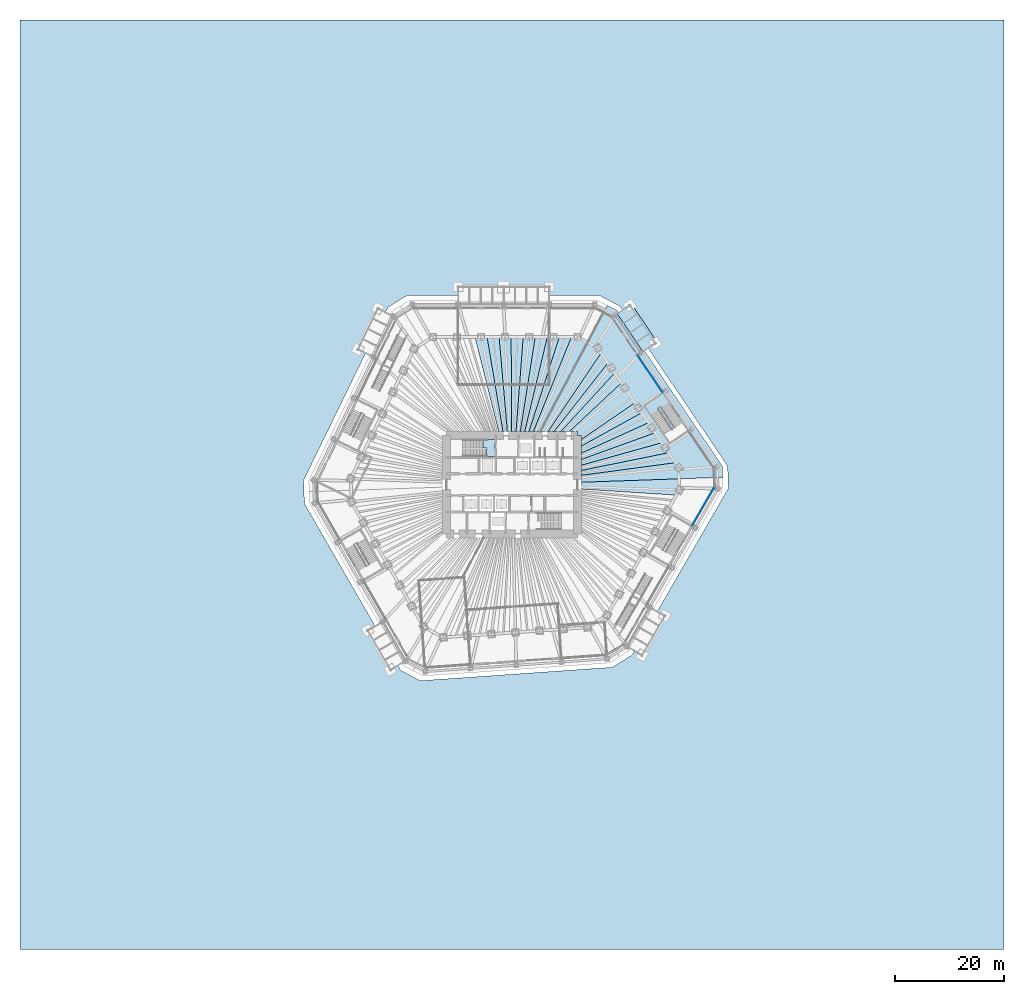
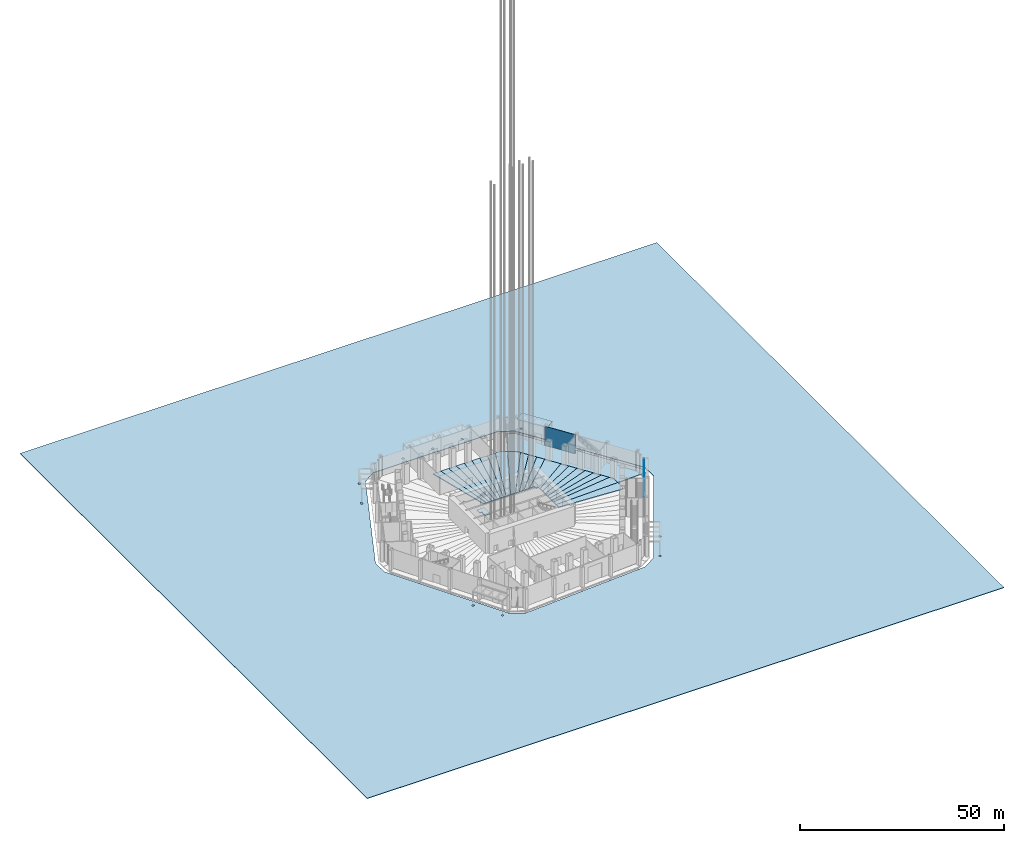
# One storey, part 26 of 45: 26 slabs, 2 plates, 3 elements without a shape of their own.
"""IFC4 building model written with IfcOpenShell, lengths in metres."""

from ifc_helpers import new_model, si_unit, direction, frame, origin, origin_2d, place, context, subcontext, project, spatial, polyline, rectangle, outline, extrude, material, layer, layer_set, type_object, element, aggregate, save


model = new_model("IFC4")

# Units and contexts
model_context = context("Model", 3, precision=1e-05, world=origin(), true_north=direction((0.0, 1.0)))
body_context = subcontext(model_context, "Body", "Model", "MODEL_VIEW")
ifc_project = project(units=[si_unit("LENGTHUNIT", "METRE"), si_unit("AREAUNIT", "SQUARE_METRE"), si_unit("VOLUMEUNIT", "CUBIC_METRE"), si_unit("PLANEANGLEUNIT", "RADIAN"), si_unit("MASSUNIT", "GRAM", prefix="KILO")], contexts=[model_context])

# Site, building, storey
site_placement = place(None, origin())
site = spatial("IfcSite", under=ifc_project, at=site_placement, CompositionType="ELEMENT")
building_placement = place(site_placement, origin())
building = spatial("IfcBuilding", under=site, at=building_placement, Name="Qingtian Harvest Tower", CompositionType="ELEMENT")
storey_placement = place(building_placement, origin())
storey = spatial("IfcBuildingStorey", under=building, at=storey_placement, Name="L00", CompositionType="ELEMENT", Elevation=0.0)

# Slabs
ifc_material_1 = material(Name="Concrete fc' 35 MPa", Category="concrete")
ifc_layer_1 = layer(ifc_material_1, 0.25)
ifc_layer_set_1 = layer_set([ifc_layer_1], Name="Composite floor slab FS25 250")
slab_type_1 = type_object("IfcSlabType", Name="Composite floor slab FS25 250", PredefinedType="FLOOR", material=ifc_layer_set_1)
slab_1_placement = place(storey_placement, frame((0.0, 0.0, -0.25)))
element("IfcSlab", 1, at=slab_1_placement, inside=storey, type_object=slab_type_1, Name="Floor slab L00 panel DPNE", PredefinedType="FLOOR", context=body_context, shape_type="SweptSolid", body=[
    extrude(outline(polyline([(30.54736328125, 1.066650390625), (30.476318359375, 3.100830078125), (15.6982421875, 25.01025390625), (13.8271484375, 26.005126953125), (17.44287109375, 32.80517578125), (19.313720703125, 31.810302734375), (38.489990234375, 3.380615234375), (38.56103515625, 1.3466796875), (30.54736328125, 1.066650390625)])), origin(), (0.0, 0.0, 1.0), 0.25),
])
slab_2_placement = place(storey_placement, frame((0.0, 0.0, -0.25)))
element("IfcSlab", 2, at=slab_2_placement, inside=storey, type_object=slab_type_1, Name="Floor slab L00 panel D39", PredefinedType="FLOOR", context=body_context, shape_type="SweptSolid", body=[
    extrude(outline(polyline([(12.75, -0.822265625), (12.75, 0.447265625), (30.54736328125, 1.066650390625), (30.618408203125, -0.96728515625), (30.06787109375, -1.9208984375), (12.75, -0.822265625)])), origin(), (0.0, 0.0, 1.0), 0.25),
])
slab_3_placement = place(storey_placement, frame((0.0, 0.0, -0.25)))
element("IfcSlab", 3, at=slab_3_placement, inside=storey, type_object=slab_type_1, Name="Floor slab L00 panel D40", PredefinedType="FLOOR", context=body_context, shape_type="SweptSolid", body=[
    extrude(outline(polyline([(12.75, 0.447265625), (12.75, 1.72265625), (29.860595703125, 4.013671875), (30.476318359375, 3.100830078125), (30.54736328125, 1.066650390625), (12.75, 0.447265625)])), origin(), (0.0, 0.0, 1.0), 0.25),
])
slab_4_placement = place(storey_placement, frame((0.0, 0.0, -0.25)))
element("IfcSlab", 4, at=slab_4_placement, inside=storey, type_object=slab_type_1, Name="Floor slab L00 panel D41", PredefinedType="FLOOR", context=body_context, shape_type="SweptSolid", body=[
    extrude(outline(polyline([(12.75, 2.610595703125), (28.629150390625, 5.839599609375), (29.860595703125, 4.013671875), (12.75, 1.72265625), (12.75, 2.610595703125)])), origin(), (0.0, 0.0, 1.0), 0.25),
])
slab_5_placement = place(storey_placement, frame((0.0, 0.0, -0.25)))
element("IfcSlab", 5, at=slab_5_placement, inside=storey, type_object=slab_type_1, Name="Floor slab L00 panel D42", PredefinedType="FLOOR", context=body_context, shape_type="SweptSolid", body=[
    extrude(outline(polyline([(12.75, 3.57861328125), (27.3974609375, 7.665283203125), (28.629150390625, 5.839599609375), (12.75, 2.610595703125), (12.75, 3.57861328125)])), origin(), (0.0, 0.0, 1.0), 0.25),
])
slab_6_placement = place(storey_placement, frame((0.0, 0.0, -0.25)))
element("IfcSlab", 6, at=slab_6_placement, inside=storey, type_object=slab_type_1, Name="Floor slab L00 panel D43", PredefinedType="FLOOR", context=body_context, shape_type="SweptSolid", body=[
    extrude(outline(polyline([(12.75, 4.6376953125), (26.166015625, 9.490966796875), (27.3974609375, 7.665283203125), (12.75, 3.57861328125), (12.75, 4.6376953125)])), origin(), (0.0, 0.0, 1.0), 0.25),
])
slab_7_placement = place(storey_placement, frame((0.0, 0.0, -0.25)))
element("IfcSlab", 7, at=slab_7_placement, inside=storey, type_object=slab_type_1, Name="Floor slab L00 panel D44", PredefinedType="FLOOR", context=body_context, shape_type="SweptSolid", body=[
    extrude(outline(polyline([(12.75, 5.8017578125), (24.9345703125, 11.31689453125), (26.166015625, 9.490966796875), (12.75, 4.6376953125), (12.75, 5.8017578125)])), origin(), (0.0, 0.0, 1.0), 0.25),
])
slab_8_placement = place(storey_placement, frame((0.0, 0.0, -0.25)))
element("IfcSlab", 8, at=slab_8_placement, inside=storey, type_object=slab_type_1, Name="Floor slab L00 panel D45", PredefinedType="FLOOR", context=body_context, shape_type="SweptSolid", body=[
    extrude(outline(polyline([(12.75, 7.087158203125), (23.703125, 13.142578125), (24.9345703125, 11.31689453125), (12.75, 5.8017578125), (12.75, 7.087158203125)])), origin(), (0.0, 0.0, 1.0), 0.25),
])
slab_9_placement = place(storey_placement, frame((0.0, 0.0, -0.25)))
element("IfcSlab", 9, at=slab_9_placement, inside=storey, type_object=slab_type_1, Name="Floor slab L00 panel D46", PredefinedType="FLOOR", context=body_context, shape_type="SweptSolid", body=[
    extrude(outline(polyline([(12.75, 8.30615234375), (22.471435546875, 14.968505859375), (23.703125, 13.142578125), (12.75, 7.087158203125), (12.75, 8.30615234375)])), origin(), (0.0, 0.0, 1.0), 0.25),
])
slab_10_placement = place(storey_placement, frame((0.0, 0.0, -0.25)))
element("IfcSlab", 10, at=slab_10_placement, inside=storey, type_object=slab_type_1, Name="Floor slab L00 panel D48", PredefinedType="FLOOR", context=body_context, shape_type="SweptSolid", body=[
    extrude(outline(polyline([(20.008544921875, 18.6201171875), (22.471435546875, 14.968505859375), (12.75, 8.30615234375), (12.75, 9.0), (12.0, 9.0), (12.0, 9.75), (10.51806640625, 9.75), (20.008544921875, 18.6201171875)])), origin(), (0.0, 0.0, 1.0), 0.25),
])
slab_11_placement = place(storey_placement, frame((0.0, 0.0, -0.25)))
element("IfcSlab", 11, at=slab_11_placement, inside=storey, type_object=slab_type_1, Name="Floor slab L00 panel D49", PredefinedType="FLOOR", context=body_context, shape_type="SweptSolid", body=[
    extrude(outline(polyline([(8.985107421875, 9.75), (18.777099609375, 20.44580078125), (20.008544921875, 18.6201171875), (10.51806640625, 9.75), (8.985107421875, 9.75)])), origin(), (0.0, 0.0, 1.0), 0.25),
])
slab_12_placement = place(storey_placement, frame((0.0, 0.0, -0.25)))
element("IfcSlab", 12, at=slab_12_placement, inside=storey, type_object=slab_type_1, Name="Floor slab L00 panel D50", PredefinedType="FLOOR", context=body_context, shape_type="SweptSolid", body=[
    extrude(outline(polyline([(7.705078125, 9.75), (17.54541015625, 22.271728515625), (18.777099609375, 20.44580078125), (8.985107421875, 9.75), (7.705078125, 9.75)])), origin(), (0.0, 0.0, 1.0), 0.25),
])
slab_13_placement = place(storey_placement, frame((0.0, 0.0, -0.25)))
element("IfcSlab", 13, at=slab_13_placement, inside=storey, type_object=slab_type_1, Name="Floor slab L00 panel D51", PredefinedType="FLOOR", context=body_context, shape_type="SweptSolid", body=[
    extrude(outline(polyline([(6.61962890625, 9.75), (16.31396484375, 24.097412109375), (17.54541015625, 22.271728515625), (7.705078125, 9.75), (6.61962890625, 9.75)])), origin(), (0.0, 0.0, 1.0), 0.25),
])
slab_14_placement = place(storey_placement, frame((0.0, 0.0, -0.25)))
element("IfcSlab", 14, at=slab_14_placement, inside=storey, type_object=slab_type_1, Name="Floor slab L00 panel D52", PredefinedType="FLOOR", context=body_context, shape_type="SweptSolid", body=[
    extrude(outline(polyline([(6.61962890625, 9.75), (5.21875, 9.75), (13.8271484375, 26.005126953125), (15.6982421875, 25.01025390625), (16.31396484375, 24.097412109375), (6.61962890625, 9.75)])), origin(), (0.0, 0.0, 1.0), 0.25),
])
slab_15_placement = place(storey_placement, frame((0.0, 0.0, -0.25)))
element("IfcSlab", 15, at=slab_15_placement, inside=storey, type_object=slab_type_1, Name="Floor slab L00 panel D53", PredefinedType="FLOOR", context=body_context, shape_type="SweptSolid", body=[
    extrude(outline(polyline([(3.919921875, 9.75), (10.85498046875, 27.0), (11.9560546875, 27.0), (13.8271484375, 26.005126953125), (5.21875, 9.75), (3.919921875, 9.75)])), origin(), (0.0, 0.0, 1.0), 0.25),
])
slab_16_placement = place(storey_placement, frame((0.0, 0.0, -0.25)))
element("IfcSlab", 16, at=slab_16_placement, inside=storey, type_object=slab_type_1, Name="Floor slab L00 panel D54", PredefinedType="FLOOR", context=body_context, shape_type="SweptSolid", body=[
    extrude(outline(polyline([(3.12451171875, 9.75), (8.652587890625, 27.0), (10.85498046875, 27.0), (3.919921875, 9.75), (3.12451171875, 9.75)])), origin(), (0.0, 0.0, 1.0), 0.25),
])
slab_17_placement = place(storey_placement, frame((0.0, 0.0, -0.25)))
element("IfcSlab", 17, at=slab_17_placement, inside=storey, type_object=slab_type_1, Name="Floor slab L00 panel D55", PredefinedType="FLOOR", context=body_context, shape_type="SweptSolid", body=[
    extrude(outline(polyline([(2.329345703125, 9.75), (6.450439453125, 27.0), (8.652587890625, 27.0), (3.12451171875, 9.75), (2.329345703125, 9.75)])), origin(), (0.0, 0.0, 1.0), 0.25),
])
slab_18_placement = place(storey_placement, frame((0.0, 0.0, -0.25)))
element("IfcSlab", 18, at=slab_18_placement, inside=storey, type_object=slab_type_1, Name="Floor slab L00 panel D56", PredefinedType="FLOOR", context=body_context, shape_type="SweptSolid", body=[
    extrude(outline(polyline([(1.533935546875, 9.75), (4.248046875, 27.0), (6.450439453125, 27.0), (2.329345703125, 9.75), (1.533935546875, 9.75)])), origin(), (0.0, 0.0, 1.0), 0.25),
])
slab_19_placement = place(storey_placement, frame((0.0, 0.0, -0.25)))
element("IfcSlab", 19, at=slab_19_placement, inside=storey, type_object=slab_type_1, Name="Floor slab L00 panel D57", PredefinedType="FLOOR", context=body_context, shape_type="SweptSolid", body=[
    extrude(outline(polyline([(0.73876953125, 9.75), (2.0458984375, 27.0), (4.248046875, 27.0), (1.533935546875, 9.75), (0.73876953125, 9.75)])), origin(), (0.0, 0.0, 1.0), 0.25),
])
slab_20_placement = place(storey_placement, frame((0.0, 0.0, -0.25)))
element("IfcSlab", 20, at=slab_20_placement, inside=storey, type_object=slab_type_1, Name="Floor slab L00 panel D58", PredefinedType="FLOOR", context=body_context, shape_type="SweptSolid", body=[
    extrude(outline(polyline([(-0.056396484375, 9.75), (-0.156494140625, 27.0), (2.0458984375, 27.0), (0.73876953125, 9.75), (-0.056396484375, 9.75)])), origin(), (0.0, 0.0, 1.0), 0.25),
])
slab_21_placement = place(storey_placement, frame((0.0, 0.0, -0.25)))
element("IfcSlab", 21, at=slab_21_placement, inside=storey, type_object=slab_type_1, Name="Floor slab L00 panel D59", PredefinedType="FLOOR", context=body_context, shape_type="SweptSolid", body=[
    extrude(outline(polyline([(-0.851806640625, 9.75), (-2.35888671875, 27.0), (-0.156494140625, 27.0), (-0.056396484375, 9.75), (-0.851806640625, 9.75)])), origin(), (0.0, 0.0, 1.0), 0.25),
])
slab_22_placement = place(storey_placement, frame((0.0, 0.0, -0.25)))
element("IfcSlab", 22, at=slab_22_placement, inside=storey, type_object=slab_type_1, Name="Floor slab L00 panel D60", PredefinedType="FLOOR", context=body_context, shape_type="SweptSolid", body=[
    extrude(outline(polyline([(-1.64697265625, 9.75), (-4.56103515625, 27.0), (-2.35888671875, 27.0), (-0.851806640625, 9.75), (-1.64697265625, 9.75)])), origin(), (0.0, 0.0, 1.0), 0.25),
])
slab_23_placement = place(storey_placement, frame((0.0, 0.0, -0.25)))
element("IfcSlab", 23, at=slab_23_placement, inside=storey, type_object=slab_type_1, Name="Floor slab L00 panel D61", PredefinedType="FLOOR", context=body_context, shape_type="SweptSolid", body=[
    extrude(outline(polyline([(-2.4423828125, 9.75), (-6.763427734375, 27.0), (-4.56103515625, 27.0), (-1.64697265625, 9.75), (-2.4423828125, 9.75)])), origin(), (0.0, 0.0, 1.0), 0.25),
])
ifc_material_2 = material(Name="Laminated heat-strengthened glass", Category="glass")
ifc_layer_2 = layer(ifc_material_2, 0.0400390625)
ifc_layer_set_2 = layer_set([ifc_layer_2], Name="Entrance canopy CN1 glass")
slab_type_2 = type_object("IfcSlabType", Name="Entrance canopy CN1 glass", PredefinedType="ROOF", material=ifc_layer_set_2)
slab_24_placement = place(storey_placement, frame((0.0, 0.0, 4.4599609375)))
element("IfcSlab", 24, at=slab_24_placement, inside=storey, type_object=slab_type_2, Name="Entrance canopy CN1 CN2 0", PredefinedType="ROOF", context=body_context, shape_type="SweptSolid", body=[
    extrude(outline(polyline([(19.261474609375, 31.261962890625), (23.92626953125, 24.34619140625), (26.53759765625, 26.107666015625), (21.873046875, 33.0234375), (19.261474609375, 31.261962890625)])), origin(), (0.0, 0.0, 1.0), 0.0400390625),
])

# Curtain wall, plate
ifc_material_3 = material(Name="Bronze-anodised aluminium curtain wall", Category="aluminium")
curtain_wall_type = type_object("IfcCurtainWallType", Name="Curtain wall CW1 podium shopfront", PredefinedType="USERDEFINED", material=ifc_material_3)
curtain_wall_1_placement = place(storey_placement, origin())
curtain_wall_1 = element("IfcCurtainWall", 25, at=curtain_wall_1_placement, inside=storey, type_object=curtain_wall_type, Name="Curtain wall CW1 L00 NE1", ObjectType="RECESSED CURTAIN WALL", PredefinedType="USERDEFINED")
ifc_material_4 = material(Name="Bronze-tinted laminated insulating glass", Category="glass")
ifc_layer_3 = layer(ifc_material_4, 0.030029296875)
ifc_layer_set_3 = layer_set([ifc_layer_3], Name="Glazed panel CWP tinted IGU")
plate_type = type_object("IfcPlateType", Name="Glazed panel CWP tinted IGU", PredefinedType="CURTAIN_PANEL", material=ifc_layer_set_3)
plate_1_placement = place(storey_placement, frame((25.30517578125, 20.245361328125, 0.06494140625), z_axis=(0.0, 0.0, 1.0), x_axis=(0.559192903471, -0.829037572555, 0.0)))
plate_1 = element("IfcPlate", 26, at=plate_1_placement, type_object=plate_type, Name="CW1 panel 1.1", PredefinedType="CURTAIN_PANEL", context=body_context, shape_type="SweptSolid", body=[
    extrude(rectangle(XDim=8.211669921875, YDim=0.030029296875, at=origin_2d()), origin(), (0.0, 0.0, 1.0), 5.68505859375),
])
aggregate(curtain_wall_1, [plate_1])

curtain_wall_2_placement = place(storey_placement, origin())
curtain_wall_2 = element("IfcCurtainWall", 27, at=curtain_wall_2_placement, inside=storey, type_object=curtain_wall_type, Name="Curtain wall CW1 L00 SE0", ObjectType="RECESSED CURTAIN WALL", PredefinedType="USERDEFINED")
plate_2_placement = place(storey_placement, frame((34.99755859375, -3.982421875, 0.06494140625), z_axis=(0.0, 0.0, 1.0), x_axis=(-0.5, -0.866025403784, 0.0)))
plate_2 = element("IfcPlate", 28, at=plate_2_placement, type_object=plate_type, Name="CW1 panel 1.1", PredefinedType="CURTAIN_PANEL", context=body_context, shape_type="SweptSolid", body=[
    extrude(rectangle(XDim=8.211669921875, YDim=0.030029296875, at=origin_2d()), origin(), (0.0, 0.0, 1.0), 5.68505859375),
])
aggregate(curtain_wall_2, [plate_2])

# Slab
ifc_material_5 = material(Name="Granite setts on concrete base", Category="masonry")
ifc_layer_4 = layer(ifc_material_5, 0.14990234375)
ifc_layer_set_4 = layer_set([ifc_layer_4], Name="Plaza paving PV15 150")
slab_type_3 = type_object("IfcSlabType", Name="Plaza paving PV15 150", PredefinedType="USERDEFINED", material=ifc_layer_set_4)
slab_25_placement = place(storey_placement, frame((0.0, 0.0, -0.14990234375)))
element("IfcSlab", 29, at=slab_25_placement, inside=storey, type_object=slab_type_3, Name="Public plaza paving", ObjectType="PAVING", PredefinedType="USERDEFINED", context=body_context, shape_type="SweptSolid", body=[
    extrude(outline(polyline([(-90.0, -85.0), (-90.0, 85.0), (90.0, 85.0), (90.0, -85.0), (-90.0, -85.0)]), holes=[polyline([(-22.672607421875, 32.44287109375), (-38.11083984375, 0.78955078125), (-37.963134765625, -3.446044921875), (-20.354248046875, -33.9453125), (-16.760009765625, -35.8564453125), (18.371826171875, -33.39990234375), (21.9658203125, -31.154052734375), (39.57470703125, -0.654541015625), (39.4326171875, 3.41357421875), (19.7392578125, 32.6103515625), (15.9970703125, 34.60009765625), (-19.220458984375, 34.60009765625), (-22.672607421875, 32.44287109375)]), polyline([(-9.62890625, 35.949951171875), (-10.12890625, 35.949951171875), (-10.12890625, 36.449951171875), (-9.62890625, 36.449951171875), (-9.62890625, 35.949951171875)]), polyline([(-1.287109375, 35.949951171875), (-1.787109375, 35.949951171875), (-1.787109375, 36.449951171875), (-1.287109375, 36.449951171875), (-1.287109375, 35.949951171875)]), polyline([(7.0546875, 35.949951171875), (6.5546875, 35.949951171875), (6.5546875, 36.449951171875), (7.0546875, 36.449951171875), (7.0546875, 35.949951171875)]), polyline([(21.473876953125, 32.45263671875), (21.1943359375, 32.8671875), (21.60888671875, 33.146728515625), (21.888427734375, 32.732177734375), (21.473876953125, 32.45263671875)]), polyline([(26.138671875, 25.537109375), (25.85888671875, 25.95166015625), (26.2734375, 26.231201171875), (26.55322265625, 25.816650390625), (26.138671875, 25.537109375)]), polyline([(27.606201171875, -24.08447265625), (27.856201171875, -23.6513671875), (28.289306640625, -23.9013671875), (28.039306640625, -24.33447265625), (27.606201171875, -24.08447265625)]), polyline([(23.435302734375, -31.30859375), (23.685302734375, -30.875732421875), (24.118408203125, -31.125732421875), (23.868408203125, -31.55859375), (23.435302734375, -31.30859375)]), polyline([(-22.148193359375, -33.5380859375), (-21.898193359375, -33.97119140625), (-22.331298828125, -34.22119140625), (-22.581298828125, -33.7880859375), (-22.148193359375, -33.5380859375)]), polyline([(-26.319091796875, -26.31396484375), (-26.069091796875, -26.746826171875), (-26.502197265625, -26.996826171875), (-26.752197265625, -26.56396484375), (-26.319091796875, -26.31396484375)]), polyline([(-27.871337890625, 24.86328125), (-28.090576171875, 24.413818359375), (-28.5400390625, 24.633056640625), (-28.32080078125, 25.08251953125), (-27.871337890625, 24.86328125)]), polyline([(-24.214599609375, 32.36083984375), (-24.433837890625, 31.911376953125), (-24.88330078125, 32.130615234375), (-24.6640625, 32.580078125), (-24.214599609375, 32.36083984375)])]), origin(), (0.0, 0.0, 1.0), 0.14990234375),
])

# Stair, slab
ifc_material_6 = material(Name="Concrete fc' 35 MPa", Category="concrete")
stair_type = type_object("IfcStairType", Name="Special stair ST1 6000", PredefinedType="HALF_TURN_STAIR", material=ifc_material_6)
stair_placement = place(storey_placement, origin())
stair = element("IfcStair", 30, at=stair_placement, inside=storey, type_object=stair_type, Name="Special stair S1 L00", PredefinedType="HALF_TURN_STAIR")
ifc_material_7 = material(Name="Concrete fc' 35 MPa", Category="concrete")
ifc_layer_5 = layer(ifc_material_7, 0.199951171875)
ifc_layer_set_5 = layer_set([ifc_layer_5], Name="Stair landing SL2 200")
slab_type_4 = type_object("IfcSlabType", Name="Stair landing SL2 200", PredefinedType="LANDING", material=ifc_layer_set_5)
slab_26_placement = place(storey_placement, frame((0.0, 0.0, -0.199951171875)))
slab_26 = element("IfcSlab", 31, at=slab_26_placement, type_object=slab_type_4, Name="S1 landing 1", PredefinedType="LANDING", context=body_context, shape_type="SweptSolid", body=[
    extrude(outline(polyline([(-4.64990234375, 5.14990234375), (-4.64990234375, 6.64990234375), (-4.550048828125, 6.64990234375), (-4.550048828125, 6.75), (-5.260009765625, 6.75), (-5.260009765625, 8.25), (-3.14990234375, 8.25), (-3.14990234375, 5.14990234375), (-4.64990234375, 5.14990234375)])), origin(), (0.0, 0.0, 1.0), 0.199951171875),
])
aggregate(stair, [slab_26])

save(model, "model.ifc")
